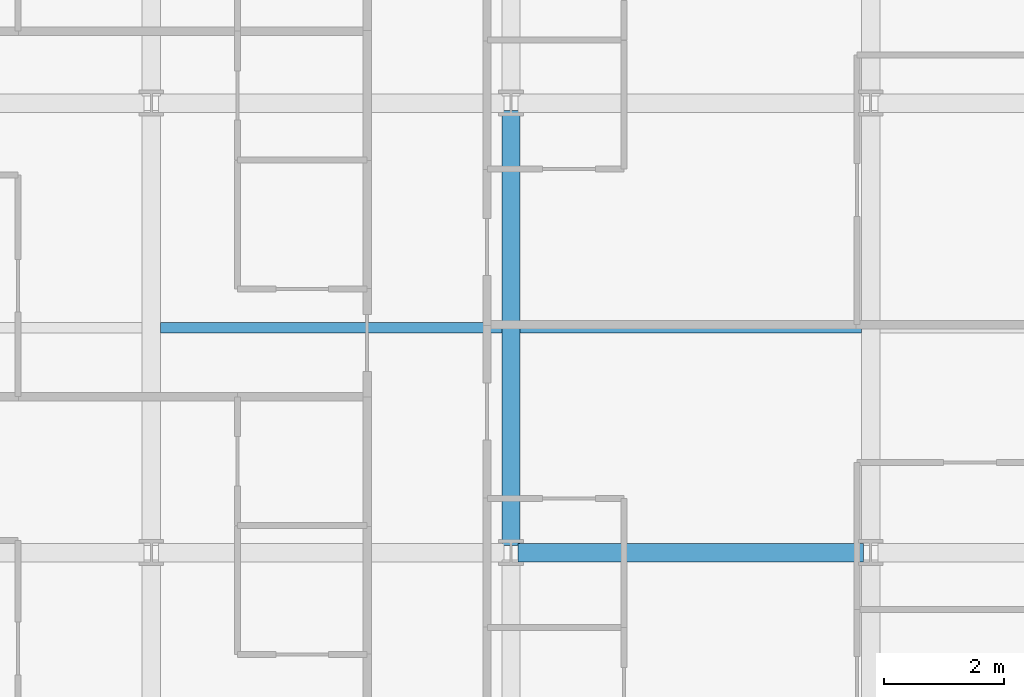
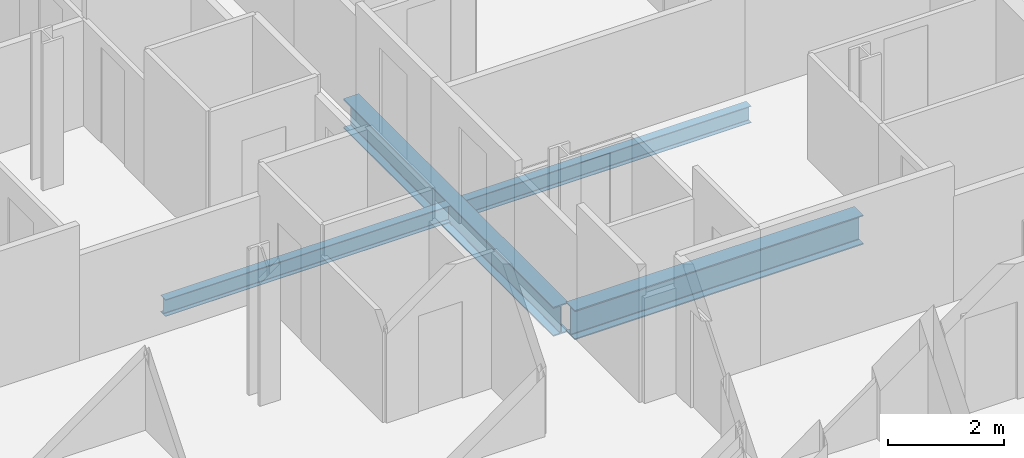
# One storey, part 6 of 41: 4 beams.
"""IFC4 building model written with IfcOpenShell, lengths in metres."""

import ifcopenshell
import ifcopenshell.guid

model = None  # the IFC model being written
_history = None  # IfcOwnerHistory: only IFC2X3 demands one
_inside = {}  # id of a spatial element -> (the spatial element, [elements in it])
_under = {}  # id of a project, library or spatial element -> (it, [spatial elements below it])
_declared = {}  # id of a project -> (the project, [libraries it declares])
_typed = {}  # id of a type object -> (the type object, [elements of that type])
_made_of = {}  # id of a material, layer set ... -> (it, [elements and type objects made of it])


def new_model(schema):
    """Start an empty IFC model of exactly this schema.

    Asked for "IFC4X3", IfcOpenShell would pick the latest addendum, in which some entities
    have other attributes; the version numbers below select the first issue.
    IFC2X3 requires an IfcOwnerHistory on every rooted entity: one is made here for all.
    """
    global model, _history
    if schema == "IFC4X3":
        model = ifcopenshell.file(schema_version=(4, 3, 0, 0))
    else:
        model = ifcopenshell.file(schema=schema)
    _inside.clear()
    _under.clear()
    _declared.clear()
    _typed.clear()
    _made_of.clear()
    _history = None
    if model.schema == "IFC2X3":
        org = make("IfcOrganization", Name="unknown")
        user = make(
            "IfcPersonAndOrganization",
            ThePerson=make("IfcPerson", FamilyName="unknown"),
            TheOrganization=org,
        )
        app = make(
            "IfcApplication",
            ApplicationDeveloper=org,
            Version="unknown",
            ApplicationFullName="unknown",
            ApplicationIdentifier="unknown",
        )
        _history = make(
            "IfcOwnerHistory",
            OwningUser=user,
            OwningApplication=app,
            ChangeAction="ADDED",
            CreationDate=0,
        )
    return model


def make(cls, **values):
    """One entity of the class cls with the attributes given. An attribute that is None is left unset."""
    return model.create_entity(
        cls, **{name: value for name, value in values.items() if value is not None}
    )


def rooted(cls, **values):
    """An entity with a GlobalId (a new one), such as an element, a storey or a relation."""
    return make(cls, GlobalId=ifcopenshell.guid.new(), OwnerHistory=_history, **values)


def si_unit(unit_type, name, prefix=None):
    """IfcSIUnit, for example si_unit("LENGTHUNIT", "METRE", prefix="MILLI")."""
    return make("IfcSIUnit", UnitType=unit_type, Prefix=prefix, Name=name)


def assignment(units):
    """IfcUnitAssignment: the units of a project."""
    return None if units is None else make("IfcUnitAssignment", Units=units)


def point(xyz):
    """IfcCartesianPoint."""
    return None if xyz is None else make("IfcCartesianPoint", Coordinates=xyz)


def direction(xyz):
    """IfcDirection."""
    return None if xyz is None else make("IfcDirection", DirectionRatios=xyz)


def frame(location, z_axis=None, x_axis=None):
    """IfcAxis2Placement3D, a coordinate frame: its origin and axes. An axis left out is left unset."""
    return make(
        "IfcAxis2Placement3D",
        Location=point(location),
        Axis=direction(z_axis),
        RefDirection=direction(x_axis),
    )


def frame_2d(location, x_axis=None):
    """IfcAxis2Placement2D, a coordinate frame in the plane: its origin and x axis."""
    return make(
        "IfcAxis2Placement2D", Location=point(location), RefDirection=direction(x_axis)
    )


def origin():
    """The frame at (0, 0, 0) with its axes left unset."""
    return frame((0.0, 0.0, 0.0))


def origin_2d():
    """The frame at (0, 0) in the plane with its x axis left unset."""
    return frame_2d((0.0, 0.0))


def place(relative_to, where):
    """IfcLocalPlacement: puts the frame where relative to a parent placement (None: the world)."""
    return make(
        "IfcLocalPlacement", PlacementRelTo=relative_to, RelativePlacement=where
    )


def context(
    kind, dimensions, precision=None, world=None, true_north=None, identifier=None
):
    """IfcGeometricRepresentationContext, for example the 3D "Model" context."""
    return make(
        "IfcGeometricRepresentationContext",
        ContextIdentifier=identifier,
        ContextType=kind,
        CoordinateSpaceDimension=dimensions,
        Precision=precision,
        WorldCoordinateSystem=world,
        TrueNorth=true_north,
    )


def subcontext(parent, identifier, kind, view, scale=None):
    """IfcGeometricRepresentationSubContext, for example "Body" below "Model"."""
    return make(
        "IfcGeometricRepresentationSubContext",
        ContextIdentifier=identifier,
        ContextType=kind,
        ParentContext=parent,
        TargetScale=scale,
        TargetView=view,
    )


def project(units=None, contexts=None):
    """IfcProject with its units and contexts."""
    return rooted(
        "IfcProject",
        Name="project",
        RepresentationContexts=contexts,
        UnitsInContext=assignment(units),
    )


def spatial(cls, under=None, at=None, **own):
    """A site, building, storey or space (cls), placed at a placement, below another one or the project."""
    s = rooted(cls, ObjectPlacement=at, **own)
    if under is not None:
        _under.setdefault(under.id(), (under, []))[1].append(s)
    return s


def profile(cls, at=None, kind="AREA", **sizes):
    """A parametric profile (cls). Its sizes go by their IFC names, for example OverallWidth=200.0."""
    return make(cls, ProfileType=kind, Position=at, **sizes)


def i_section(**sizes):
    """IfcIShapeProfileDef."""
    return profile("IfcIShapeProfileDef", **sizes)


def extrude(swept, where, along, depth):
    """IfcExtrudedAreaSolid: the profile swept, set in the frame where, extruded along a direction by depth."""
    return make(
        "IfcExtrudedAreaSolid",
        SweptArea=swept,
        Position=where,
        ExtrudedDirection=direction(along),
        Depth=depth,
    )


def shape(context_of_items, identifier, shape_type, items):
    """IfcShapeRepresentation: the items that make up one representation, for example the "Body"."""
    return make(
        "IfcShapeRepresentation",
        ContextOfItems=context_of_items,
        RepresentationIdentifier=identifier,
        RepresentationType=shape_type,
        Items=items,
    )


def material(Name=None, Category=None):
    """IfcMaterial."""
    return make("IfcMaterial", Name=Name, Category=Category)


def material_profile(
    of_material, cross_section, Name=None, Category=None, Priority=None
):
    """IfcMaterialProfile: a cross section and its material."""
    return make(
        "IfcMaterialProfile",
        Name=Name,
        Material=of_material,
        Profile=cross_section,
        Priority=Priority,
        Category=Category,
    )


def profile_set(profiles, Name=None, composite=None):
    """IfcMaterialProfileSet."""
    return make(
        "IfcMaterialProfileSet",
        Name=Name,
        MaterialProfiles=profiles,
        CompositeProfile=composite,
    )


def made_of(thing, what):
    """Note that an element or type object is made of a material, layer set ...; save() writes the relation."""
    if what is not None:
        _made_of.setdefault(what.id(), (what, []))[1].append(thing)
    return thing


def type_object(cls, material=None, **own):
    """A type object (cls), such as IfcWallType, which elements share."""
    return made_of(rooted(cls, **own), material)


def element(
    cls,
    number,
    at=None,
    inside=None,
    cuts=None,
    type_object=None,
    material=None,
    context=None,
    identifier="Body",
    shape_type=None,
    held_by="IfcProductDefinitionShape",
    body=None,
    shapes=None,
    **own,
):
    """One element of the class cls, such as IfcWall. Its Tag is "e" and its number.

    at: its placement. inside: the storey or other place that contains it. cuts: it is an
    opening in that element (IfcRelVoidsElement). A single representation is given by context,
    identifier, shape_type and body (its items); several are given by shapes. held_by: the class
    of the entity that holds the representations. save() writes the other relations.
    """
    e = rooted(cls, Tag="e%d" % number, ObjectPlacement=at, **own)
    if body is not None:
        shapes = [shape(context, identifier, shape_type, body)]
    if shapes is not None:
        e.Representation = make(held_by, Representations=shapes)
    if inside is not None:
        _inside.setdefault(inside.id(), (inside, []))[1].append(e)
    if cuts is not None:
        rooted(
            "IfcRelVoidsElement", RelatingBuildingElement=cuts, RelatedOpeningElement=e
        )
    if type_object is not None:
        _typed.setdefault(type_object.id(), (type_object, []))[1].append(e)
    return made_of(e, material)


def aggregate(whole, parts):
    """IfcRelAggregates: a whole, such as a stair, and the parts it consists of."""
    return rooted("IfcRelAggregates", RelatingObject=whole, RelatedObjects=parts)


def save(model, path):
    """Write the relations noted so far, then the file.

    IfcRelAggregates (storeys below a building ...), IfcRelContainedInSpatialStructure (elements
    in a storey), IfcRelDefinesByType, IfcRelAssociatesMaterial and IfcRelDeclares: one each for
    every whole, place, type object, material and project.
    """
    for whole, parts in _under.values():
        aggregate(whole, parts)
    for where, things in _inside.values():
        rooted(
            "IfcRelContainedInSpatialStructure",
            RelatedElements=things,
            RelatingStructure=where,
        )
    for kind, things in _typed.values():
        rooted("IfcRelDefinesByType", RelatedObjects=things, RelatingType=kind)
    for what, things in _made_of.values():
        rooted("IfcRelAssociatesMaterial", RelatedObjects=things, RelatingMaterial=what)
    for by, libraries in _declared.values():
        rooted("IfcRelDeclares", RelatingContext=by, RelatedDefinitions=libraries)
    model.write(path)


model = new_model("IFC4")

# Units and contexts
model_context = context("Model", 3, precision=1e-05, world=origin(), true_north=direction((0.0, 1.0)))
body_context = subcontext(model_context, "Body", "Model", "MODEL_VIEW")
ifc_project = project(units=[si_unit("LENGTHUNIT", "METRE"), si_unit("AREAUNIT", "SQUARE_METRE"), si_unit("VOLUMEUNIT", "CUBIC_METRE"), si_unit("PLANEANGLEUNIT", "RADIAN"), si_unit("MASSUNIT", "GRAM", prefix="KILO")], contexts=[model_context])

# Site, building, storey
site_placement = place(None, origin())
site = spatial("IfcSite", under=ifc_project, at=site_placement, CompositionType="ELEMENT")
building_placement = place(site_placement, origin())
building = spatial("IfcBuilding", under=site, at=building_placement, Name="Brevholm Reach", CompositionType="ELEMENT")
storey_placement = place(building_placement, frame((0.0, 0.0, 86.89990234375)))
storey = spatial("IfcBuildingStorey", under=building, at=storey_placement, Name="L25", CompositionType="ELEMENT", Elevation=86.89990234375)

# Beams
ifc_material_1 = material(Name="Structural Steel S355J2", Category="steel")
ifc_material_profile_1 = material_profile(ifc_material_1, i_section(OverallWidth=0.17138671875, OverallDepth=0.35498046875, WebThickness=0.00732421875, FlangeThickness=0.011474609375, FilletRadius=0.01025390625, at=origin_2d()), Name="UKB 356x171x51")
ifc_profile_set_1 = profile_set([ifc_material_profile_1], Name="Structural Steel S355J2")
beam_type_1 = type_object("IfcBeamType", Name="BM-B356", PredefinedType="BEAM", material=ifc_profile_set_1)
for number, where, z_axis, x_axis, name in (
    (1, (6.153564453125, 19.75, -0.407470703125), (1.0, 0.0, 0.0), (0.0, 1.0, 0.0), "L25 Composite Secondary Floor Beam"),
    (2, (12.153564453125, 19.75, -0.407470703125), (1.0, 0.0, 0.0), (0.0, 1.0, 0.0), "L25 Composite Secondary Floor Beam"),
):
    element("IfcBeam", number, at=place(storey_placement, frame(where, z_axis=z_axis, x_axis=x_axis)), inside=storey, type_object=beam_type_1, Name=name, PredefinedType="BEAM", context=body_context, shape_type="SweptSolid", body=[
        extrude(i_section(OverallWidth=0.17138671875, OverallDepth=0.35498046875, WebThickness=0.00732421875, FlangeThickness=0.011474609375, FilletRadius=0.01025390625, at=origin_2d()), origin(), (0.0, 0.0, 1.0), 5.69287109375),
    ])
ifc_material_2 = material(Name="Structural Steel S355J2", Category="steel")
ifc_material_profile_2 = material_profile(ifc_material_2, i_section(OverallWidth=0.30712890625, OverallDepth=0.6201171875, WebThickness=0.01416015625, FlangeThickness=0.023681640625, FilletRadius=0.0166015625, at=origin_2d()), Name="UKB 610x305x179")
ifc_profile_set_2 = profile_set([ifc_material_profile_2], Name="Structural Steel S355J2")
beam_type_2 = type_object("IfcBeamType", Name="BM-UKB610H", PredefinedType="USERDEFINED", material=ifc_profile_set_2)
beam_1_placement = place(storey_placement, frame((12.1201171875, 16.0, -0.5400390625), z_axis=(1.0, 0.0, 0.0), x_axis=(0.0, 1.0, 0.0)))
element("IfcBeam", 3, at=beam_1_placement, inside=storey, type_object=beam_type_2, Name="L25 G-06 Framing Beam", ObjectType="GIRDER", PredefinedType="USERDEFINED", context=body_context, shape_type="SweptSolid", body=[
    extrude(i_section(OverallWidth=0.30712890625, OverallDepth=0.6201171875, WebThickness=0.01416015625, FlangeThickness=0.023681640625, FilletRadius=0.0166015625, at=origin_2d()), origin(), (0.0, 0.0, 1.0), 5.759765625),
])
beam_2_placement = place(storey_placement, frame((12.0, 16.1201171875, -0.5400390625), z_axis=(0.0, 1.0, 0.0), x_axis=(-1.0, 0.0, 0.0)))
element("IfcBeam", 4, at=beam_2_placement, inside=storey, type_object=beam_type_2, Name="L25 G-06 Framing Beam", ObjectType="GIRDER", PredefinedType="USERDEFINED", context=body_context, shape_type="SweptSolid", body=[
    extrude(i_section(OverallWidth=0.30712890625, OverallDepth=0.6201171875, WebThickness=0.01416015625, FlangeThickness=0.023681640625, FilletRadius=0.0166015625, at=origin_2d()), origin(), (0.0, 0.0, 1.0), 7.259765625),
])

save(model, "model.ifc")
